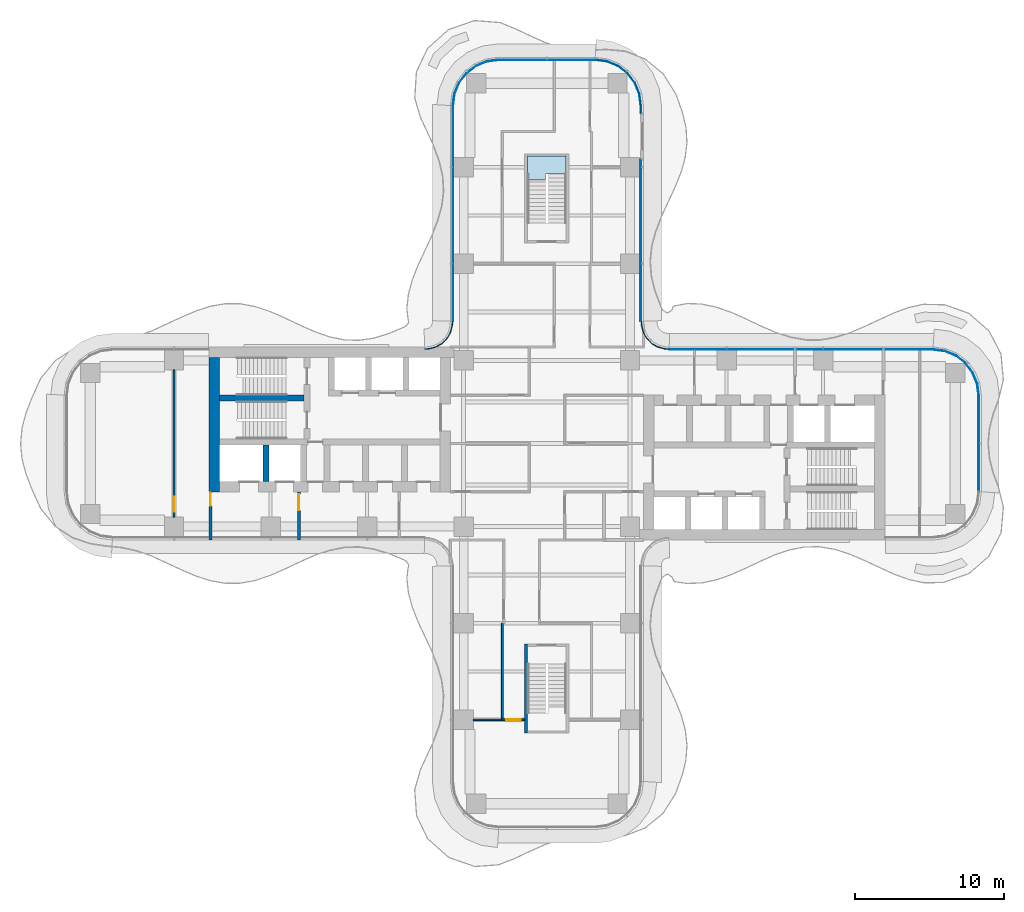
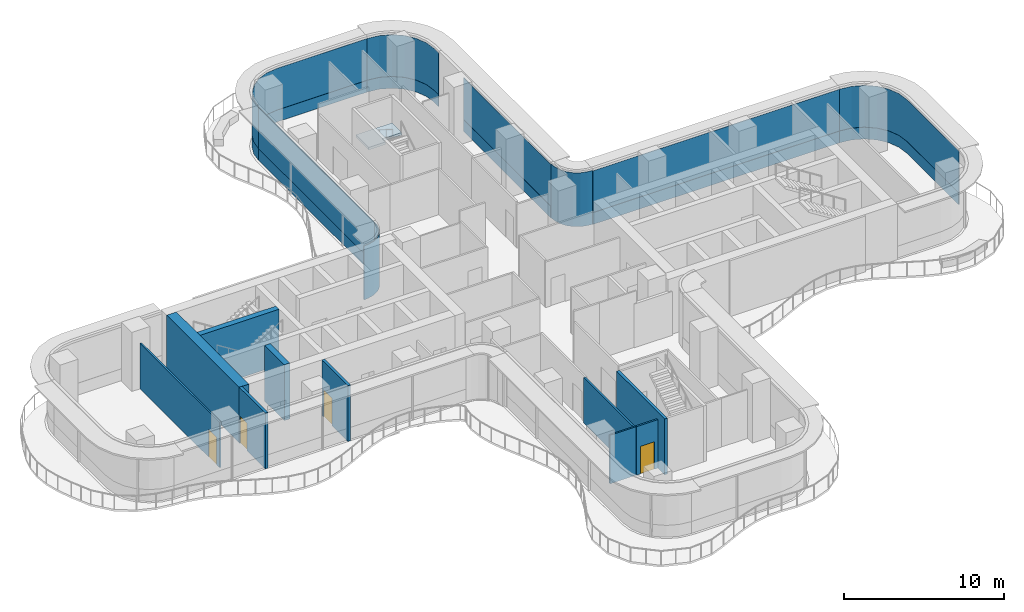
# One storey, part 14 of 20: 14 plates, 10 walls, 4 doors, 1 slab, 4 openings, 9 elements without a shape of their own.
"""IFC4 building model written with IfcOpenShell, lengths in metres."""

from ifc_helpers import new_model, si_unit, direction, frame, frame_2d, origin, place, context, subcontext, project, spatial, polyline, rectangle, outline, extrude, source, transform, mapped, material, layer, layer_set, type_object, element, fill, aggregate, save


model = new_model("IFC4")

# Units and contexts
model_context = context("Model", 3, precision=1e-05, world=origin(), true_north=direction((0.0, 1.0)))
body_context = subcontext(model_context, "Body", "Model", "MODEL_VIEW")
ifc_project = project(units=[si_unit("LENGTHUNIT", "METRE"), si_unit("AREAUNIT", "SQUARE_METRE"), si_unit("VOLUMEUNIT", "CUBIC_METRE"), si_unit("PLANEANGLEUNIT", "RADIAN"), si_unit("MASSUNIT", "GRAM", prefix="KILO")], contexts=[model_context])

# Site, building, storey
site_placement = place(None, origin())
site = spatial("IfcSite", under=ifc_project, at=site_placement, CompositionType="ELEMENT")
building_placement = place(site_placement, origin())
building = spatial("IfcBuilding", under=site, at=building_placement, Name="Trellis Farm Tower", CompositionType="ELEMENT")
storey_placement = place(building_placement, frame((0.0, 0.0, 133.5)))
storey = spatial("IfcBuildingStorey", under=building, at=storey_placement, Name="L28", CompositionType="ELEMENT", Elevation=133.5)

# Stair, slab
ifc_material_1 = material(Name="Concrete C50/60", Category="concrete")
stair_type = type_object("IfcStairType", Name="CORE EXIT STAIR 26 RISERS 173 MM", PredefinedType="HALF_TURN_STAIR", material=ifc_material_1)
placement_1 = place(storey_placement, origin())
stair = element("IfcStair", 1, at=placement_1, inside=storey, type_object=stair_type, Name="Exit stair N", PredefinedType="HALF_TURN_STAIR")
ifc_layer_1 = layer(ifc_material_1, 0.18994140625)
ifc_layer_set_1 = layer_set([ifc_layer_1], Name="CORE STAIR LANDING 190 CONCRETE C50/60")
slab_type = type_object("IfcSlabType", Name="CORE STAIR LANDING 190 CONCRETE C50/60", PredefinedType="LANDING", material=ifc_layer_set_1)
shared_shape_1 = source(origin(), body_context, "Body", "SweptSolid", [
    extrude(outline(polyline([(-0.10009765625, 17.753173828125), (-1.300048828125, 17.753173828125), (-1.300048828125, 18.14990234375), (-1.300048828125, 19.35009765625), (1.300048828125, 19.35009765625), (1.300048828125, 18.14990234375), (1.300048828125, 18.139892578125), (0.10009765625, 18.139892578125), (0.10009765625, 18.14990234375), (-0.10009765625, 18.14990234375), (-0.10009765625, 17.753173828125)])), origin(), (0.0, 0.0, 1.0), 0.18994140625),
])
slab_placement = place(storey_placement, frame((0.0, 0.0, 2.06005859375)))
slab = element("IfcSlab", 2, at=slab_placement, type_object=slab_type, Name="STN landing 1", PredefinedType="LANDING", context=body_context, shape_type="MappedRepresentation", body=[
    mapped(shared_shape_1, transform((0.0, 0.0, 0.0))),
])
aggregate(stair, [slab])

# Curtain wall, plate
ifc_material_2 = material(Name="Aluminium and glass curtain wall", Category="aluminium")
ifc_layer_2 = layer(ifc_material_2, 0.166015625)
ifc_layer_set_2 = layer_set([ifc_layer_2], Name="WINTER GARDEN CURTAIN WALL CW3")
curtain_wall_type_1 = type_object("IfcCurtainWallType", Name="WINTER GARDEN CURTAIN WALL CW3", PredefinedType="NOTDEFINED", material=ifc_layer_set_2)
curtain_wall_1 = element("IfcCurtainWall", 3, at=placement_1, inside=storey, type_object=curtain_wall_type_1, Name="CW3 003", PredefinedType="NOTDEFINED")
ifc_material_3 = material(Name="Clear insulated glass", Category="glass")
ifc_layer_3 = layer(ifc_material_3, 0.0458984375)
ifc_layer_set_3 = layer_set([ifc_layer_3], Name="CW3 GLASS PANEL 46")
plate_type_1 = type_object("IfcPlateType", Name="CW3 GLASS PANEL 46", PredefinedType="CURTAIN_PANEL", material=ifc_layer_set_3)
shared_shape_2 = source(origin(), body_context, "Body", "SweptSolid", [
    extrude(outline(polyline([(8.2275390625, 6.3798828125), (8.0078125, 6.394287109375), (7.89208984375, 6.40966796875), (7.462158203125, 6.52490234375), (7.070556640625, 6.7509765625), (6.7509765625, 7.070556640625), (6.52490234375, 7.462158203125), (6.40966796875, 7.89208984375), (6.394287109375, 8.0078125), (6.3798828125, 8.2275390625), (6.333984375, 8.22607421875), (6.3486328125, 8.003173828125), (6.364501953125, 7.883056640625), (6.48193359375, 7.4443359375), (6.714111328125, 7.04248046875), (7.04248046875, 6.714111328125), (7.4443359375, 6.48193359375), (7.883056640625, 6.364501953125), (8.003173828125, 6.3486328125), (8.22607421875, 6.333984375), (8.2275390625, 6.3798828125)])), origin(), (0.0, 0.0, 1.0), 4.10009765625),
])
plate_1 = element("IfcPlate", 4, at=placement_1, type_object=plate_type_1, Name="PL3 003", PredefinedType="CURTAIN_PANEL", context=body_context, shape_type="MappedRepresentation", body=[
    mapped(shared_shape_2, transform((0.0, 0.0, 0.0))),
])
aggregate(curtain_wall_1, [plate_1])

curtain_wall_2 = element("IfcCurtainWall", 5, at=placement_1, inside=storey, type_object=curtain_wall_type_1, Name="CW3 004", PredefinedType="NOTDEFINED")
shared_shape_3 = source(origin(), body_context, "Body", "SweptSolid", [
    extrude(outline(polyline([(-6.3798828125, 8.2275390625), (-6.394287109375, 8.0078125), (-6.40966796875, 7.89208984375), (-6.52490234375, 7.462158203125), (-6.7509765625, 7.070556640625), (-7.070556640625, 6.7509765625), (-7.462158203125, 6.52490234375), (-7.89208984375, 6.40966796875), (-8.0078125, 6.394287109375), (-8.2275390625, 6.3798828125), (-8.22607421875, 6.333984375), (-8.003173828125, 6.3486328125), (-7.883056640625, 6.364501953125), (-7.4443359375, 6.48193359375), (-7.04248046875, 6.714111328125), (-6.714111328125, 7.04248046875), (-6.48193359375, 7.4443359375), (-6.364501953125, 7.883056640625), (-6.3486328125, 8.003173828125), (-6.333984375, 8.22607421875), (-6.3798828125, 8.2275390625)])), origin(), (0.0, 0.0, 1.0), 4.10009765625),
])
plate_2 = element("IfcPlate", 6, at=placement_1, type_object=plate_type_1, Name="PL3 004", PredefinedType="CURTAIN_PANEL", context=body_context, shape_type="MappedRepresentation", body=[
    mapped(shared_shape_3, transform((0.0, 0.0, 0.0))),
])
aggregate(curtain_wall_2, [plate_2])

# Curtain wall, plates
ifc_layer_4 = layer(ifc_material_2, 0.18994140625)
ifc_layer_set_4 = layer_set([ifc_layer_4], Name="RIBBON CURTAIN WALL CW1")
curtain_wall_type_2 = type_object("IfcCurtainWallType", Name="RIBBON CURTAIN WALL CW1", PredefinedType="NOTDEFINED", material=ifc_layer_set_4)
curtain_wall_3 = element("IfcCurtainWall", 7, at=placement_1, inside=storey, type_object=curtain_wall_type_2, Name="CW1 011", PredefinedType="NOTDEFINED")
ifc_layer_5 = layer(ifc_material_3, 0.0400390625)
ifc_layer_set_5 = layer_set([ifc_layer_5], Name="CW1 GLASS PANEL 40")
plate_type_2 = type_object("IfcPlateType", Name="CW1 GLASS PANEL 40", PredefinedType="CURTAIN_PANEL", material=ifc_layer_set_5)
shared_shape_4 = source(origin(), body_context, "Body", "SweptSolid", [
    extrude(outline(polyline([(-6.35009765625, 22.740234375), (-6.35009765625, 8.2265625), (-6.31005859375, 8.22509765625), (-6.31005859375, 22.737548828125), (-6.35009765625, 22.740234375)])), origin(), (0.0, 0.0, 1.0), 3.170166015625),
])
placement_2 = place(storey_placement, frame((0.0, 0.0, 0.89990234375)))
plate_3 = element("IfcPlate", 8, at=placement_2, type_object=plate_type_2, Name="PL1 011", PredefinedType="CURTAIN_PANEL", context=body_context, shape_type="MappedRepresentation", body=[
    mapped(shared_shape_4, transform((0.0, 0.0, 0.0))),
])
ifc_material_4 = material(Name="Sandstone faced insulated panel", Category="masonry")
ifc_layer_6 = layer(ifc_material_4, 0.050048828125)
ifc_layer_set_6 = layer_set([ifc_layer_6], Name="CW1 STONE SPANDREL PANEL 50")
plate_type_3 = type_object("IfcPlateType", Name="CW1 STONE SPANDREL PANEL 50", PredefinedType="CURTAIN_PANEL", material=ifc_layer_set_6)
shared_shape_5 = source(origin(), body_context, "Body", "SweptSolid", [
    extrude(outline(polyline([(-6.35009765625, 22.740234375), (-6.35009765625, 8.2265625), (-6.300048828125, 8.224853515625), (-6.300048828125, 22.73681640625), (-6.35009765625, 22.740234375)])), origin(), (0.0, 0.0, 1.0), 0.89990234375),
])
plate_4 = element("IfcPlate", 9, at=placement_1, type_object=plate_type_3, Name="PS1 011", PredefinedType="CURTAIN_PANEL", context=body_context, shape_type="MappedRepresentation", body=[
    mapped(shared_shape_5, transform((0.0, 0.0, 0.0))),
])
aggregate(curtain_wall_3, [plate_3, plate_4])

curtain_wall_4 = element("IfcCurtainWall", 10, at=placement_1, inside=storey, type_object=curtain_wall_type_2, Name="CW1 010", PredefinedType="NOTDEFINED")
shared_shape_6 = source(origin(), body_context, "Body", "SweptSolid", [
    extrude(outline(polyline([(3.240234375, 25.85009765625), (-3.240234375, 25.85009765625), (-4.052001953125, 25.7431640625), (-4.79931640625, 25.43359375), (-5.441162109375, 24.941162109375), (-5.93359375, 24.29931640625), (-6.2431640625, 23.552001953125), (-6.35009765625, 22.740234375), (-6.31005859375, 22.737548828125), (-6.2041015625, 23.54150390625), (-5.898681640625, 24.279296875), (-5.41259765625, 24.91259765625), (-4.779296875, 25.398681640625), (-4.04150390625, 25.7041015625), (-3.237548828125, 25.81005859375), (3.237548828125, 25.81005859375), (3.240234375, 25.85009765625)])), origin(), (0.0, 0.0, 1.0), 3.170166015625),
])
plate_5 = element("IfcPlate", 11, at=placement_2, type_object=plate_type_2, Name="PL1 010", PredefinedType="CURTAIN_PANEL", context=body_context, shape_type="MappedRepresentation", body=[
    mapped(shared_shape_6, transform((0.0, 0.0, 0.0))),
])
shared_shape_7 = source(origin(), body_context, "Body", "SweptSolid", [
    extrude(outline(polyline([(3.240234375, 25.85009765625), (-3.240234375, 25.85009765625), (-4.052001953125, 25.7431640625), (-4.79931640625, 25.43359375), (-5.441162109375, 24.941162109375), (-5.93359375, 24.29931640625), (-6.2431640625, 23.552001953125), (-6.35009765625, 22.740234375), (-6.300048828125, 22.73681640625), (-6.1943359375, 23.5390625), (-5.889892578125, 24.274169921875), (-5.405517578125, 24.905517578125), (-4.774169921875, 25.389892578125), (-4.0390625, 25.6943359375), (-3.23681640625, 25.800048828125), (3.23681640625, 25.800048828125), (3.240234375, 25.85009765625)])), origin(), (0.0, 0.0, 1.0), 0.89990234375),
])
plate_6 = element("IfcPlate", 12, at=placement_1, type_object=plate_type_3, Name="PS1 010", PredefinedType="CURTAIN_PANEL", context=body_context, shape_type="MappedRepresentation", body=[
    mapped(shared_shape_7, transform((0.0, 0.0, 0.0))),
])
aggregate(curtain_wall_4, [plate_5, plate_6])

curtain_wall_5 = element("IfcCurtainWall", 13, at=placement_1, inside=storey, type_object=curtain_wall_type_2, Name="CW1 007", PredefinedType="NOTDEFINED")
shared_shape_8 = source(origin(), body_context, "Body", "SweptSolid", [
    extrude(outline(polyline([(25.990234375, 6.35009765625), (8.2265625, 6.35009765625), (8.22509765625, 6.31005859375), (25.987548828125, 6.31005859375), (25.990234375, 6.35009765625)])), origin(), (0.0, 0.0, 1.0), 3.170166015625),
])
plate_7 = element("IfcPlate", 14, at=placement_2, type_object=plate_type_2, Name="PL1 007", PredefinedType="CURTAIN_PANEL", context=body_context, shape_type="MappedRepresentation", body=[
    mapped(shared_shape_8, transform((0.0, 0.0, 0.0))),
])
shared_shape_9 = source(origin(), body_context, "Body", "SweptSolid", [
    extrude(outline(polyline([(25.990234375, 6.35009765625), (8.2265625, 6.35009765625), (8.224853515625, 6.300048828125), (25.98681640625, 6.300048828125), (25.990234375, 6.35009765625)])), origin(), (0.0, 0.0, 1.0), 0.89990234375),
])
plate_8 = element("IfcPlate", 15, at=placement_1, type_object=plate_type_3, Name="PS1 007", PredefinedType="CURTAIN_PANEL", context=body_context, shape_type="MappedRepresentation", body=[
    mapped(shared_shape_9, transform((0.0, 0.0, 0.0))),
])
aggregate(curtain_wall_5, [plate_7, plate_8])

curtain_wall_6 = element("IfcCurtainWall", 16, at=placement_1, inside=storey, type_object=curtain_wall_type_2, Name="CW1 006", PredefinedType="NOTDEFINED")
shared_shape_10 = source(origin(), body_context, "Body", "SweptSolid", [
    extrude(outline(polyline([(29.10009765625, -3.240234375), (29.10009765625, 3.240234375), (28.9931640625, 4.052001953125), (28.68359375, 4.79931640625), (28.191162109375, 5.441162109375), (27.54931640625, 5.93359375), (26.802001953125, 6.2431640625), (25.990234375, 6.35009765625), (25.987548828125, 6.31005859375), (26.79150390625, 6.2041015625), (27.529296875, 5.898681640625), (28.16259765625, 5.41259765625), (28.648681640625, 4.779296875), (28.9541015625, 4.04150390625), (29.06005859375, 3.237548828125), (29.06005859375, -3.237548828125), (29.10009765625, -3.240234375)])), origin(), (0.0, 0.0, 1.0), 3.170166015625),
])
plate_9 = element("IfcPlate", 17, at=placement_2, type_object=plate_type_2, Name="PL1 006", PredefinedType="CURTAIN_PANEL", context=body_context, shape_type="MappedRepresentation", body=[
    mapped(shared_shape_10, transform((0.0, 0.0, 0.0))),
])
shared_shape_11 = source(origin(), body_context, "Body", "SweptSolid", [
    extrude(outline(polyline([(29.10009765625, -3.240234375), (29.10009765625, 3.240234375), (28.9931640625, 4.052001953125), (28.68359375, 4.79931640625), (28.191162109375, 5.441162109375), (27.54931640625, 5.93359375), (26.802001953125, 6.2431640625), (25.990234375, 6.35009765625), (25.98681640625, 6.300048828125), (26.7890625, 6.1943359375), (27.524169921875, 5.889892578125), (28.155517578125, 5.405517578125), (28.639892578125, 4.774169921875), (28.9443359375, 4.0390625), (29.050048828125, 3.23681640625), (29.050048828125, -3.23681640625), (29.10009765625, -3.240234375)])), origin(), (0.0, 0.0, 1.0), 0.89990234375),
])
plate_10 = element("IfcPlate", 18, at=placement_1, type_object=plate_type_3, Name="PS1 006", PredefinedType="CURTAIN_PANEL", context=body_context, shape_type="MappedRepresentation", body=[
    mapped(shared_shape_11, transform((0.0, 0.0, 0.0))),
])
aggregate(curtain_wall_6, [plate_9, plate_10])

curtain_wall_7 = element("IfcCurtainWall", 19, at=placement_1, inside=storey, type_object=curtain_wall_type_2, Name="CW1 008", PredefinedType="NOTDEFINED")
shared_shape_12 = source(origin(), body_context, "Body", "SweptSolid", [
    extrude(outline(polyline([(6.35009765625, 8.2265625), (6.35009765625, 19.114990234375), (6.31005859375, 19.114990234375), (6.31005859375, 8.22509765625), (6.35009765625, 8.2265625)])), origin(), (0.0, 0.0, 1.0), 3.170166015625),
])
plate_11 = element("IfcPlate", 20, at=placement_2, type_object=plate_type_2, Name="PL1 008", PredefinedType="CURTAIN_PANEL", context=body_context, shape_type="MappedRepresentation", body=[
    mapped(shared_shape_12, transform((0.0, 0.0, 0.0))),
])
shared_shape_13 = source(origin(), body_context, "Body", "SweptSolid", [
    extrude(outline(polyline([(6.35009765625, 8.2265625), (6.35009765625, 19.114990234375), (6.300048828125, 19.114990234375), (6.300048828125, 8.224853515625), (6.35009765625, 8.2265625)])), origin(), (0.0, 0.0, 1.0), 0.89990234375),
])
plate_12 = element("IfcPlate", 21, at=placement_1, type_object=plate_type_3, Name="PS1 008", PredefinedType="CURTAIN_PANEL", context=body_context, shape_type="MappedRepresentation", body=[
    mapped(shared_shape_13, transform((0.0, 0.0, 0.0))),
])
aggregate(curtain_wall_7, [plate_11, plate_12])

curtain_wall_8 = element("IfcCurtainWall", 22, at=placement_1, inside=storey, type_object=curtain_wall_type_2, Name="CW1 009", PredefinedType="NOTDEFINED")
shared_shape_14 = source(origin(), body_context, "Body", "SweptSolid", [
    extrude(outline(polyline([(6.35009765625, 22.235107421875), (6.35009765625, 22.740234375), (6.2431640625, 23.552001953125), (5.93359375, 24.29931640625), (5.441162109375, 24.941162109375), (4.79931640625, 25.43359375), (4.052001953125, 25.7431640625), (3.240234375, 25.85009765625), (3.237548828125, 25.81005859375), (4.04150390625, 25.7041015625), (4.779296875, 25.398681640625), (5.41259765625, 24.91259765625), (5.898681640625, 24.279296875), (6.2041015625, 23.54150390625), (6.31005859375, 22.737548828125), (6.31005859375, 22.235107421875), (6.35009765625, 22.235107421875)])), origin(), (0.0, 0.0, 1.0), 3.170166015625),
])
plate_13 = element("IfcPlate", 23, at=placement_2, type_object=plate_type_2, Name="PL1 009", PredefinedType="CURTAIN_PANEL", context=body_context, shape_type="MappedRepresentation", body=[
    mapped(shared_shape_14, transform((0.0, 0.0, 0.0))),
])
shared_shape_15 = source(origin(), body_context, "Body", "SweptSolid", [
    extrude(outline(polyline([(6.35009765625, 22.235107421875), (6.35009765625, 22.740234375), (6.2431640625, 23.552001953125), (5.93359375, 24.29931640625), (5.441162109375, 24.941162109375), (4.79931640625, 25.43359375), (4.052001953125, 25.7431640625), (3.240234375, 25.85009765625), (3.23681640625, 25.800048828125), (4.0390625, 25.6943359375), (4.774169921875, 25.389892578125), (5.405517578125, 24.905517578125), (5.889892578125, 24.274169921875), (6.1943359375, 23.5390625), (6.300048828125, 22.73681640625), (6.300048828125, 22.235107421875), (6.35009765625, 22.235107421875)])), origin(), (0.0, 0.0, 1.0), 0.89990234375),
])
plate_14 = element("IfcPlate", 24, at=placement_1, type_object=plate_type_3, Name="PS1 009", PredefinedType="CURTAIN_PANEL", context=body_context, shape_type="MappedRepresentation", body=[
    mapped(shared_shape_15, transform((0.0, 0.0, 0.0))),
])
aggregate(curtain_wall_8, [plate_13, plate_14])

# Walls
ifc_material_5 = material(Name="Concrete C70/85", Category="concrete")
ifc_layer_7 = layer(ifc_material_5, 0.699951171875)
ifc_layer_set_7 = layer_set([ifc_layer_7], Name="CORE OUTER WALL 700 CONCRETE C70/85")
wall_type_1 = type_object("IfcWallType", Name="CORE OUTER WALL 700 CONCRETE C70/85", PredefinedType="SHEAR", material=ifc_layer_set_7)
shared_shape_16 = source(origin(), body_context, "Body", "SweptSolid", [
    extrude(rectangle(XDim=9.050048828125, YDim=0.699951171875, at=frame_2d((4.52490234375, 0.0))), origin(), (0.0, 0.0, 1.0), 4.25),
])
wall_1_placement = place(storey_placement, frame((-22.39990234375, 5.800048828125, 0.0), z_axis=(0.0, 0.0, 1.0), x_axis=(0.0, -1.0, 0.0)))
element("IfcWall", 25, at=wall_1_placement, inside=storey, type_object=wall_type_1, Name="Core wall", PredefinedType="SHEAR", context=body_context, shape_type="MappedRepresentation", body=[
    mapped(shared_shape_16, transform((0.0, 0.0, 0.0))),
])
ifc_layer_8 = layer(ifc_material_5, 0.39990234375)
ifc_layer_set_8 = layer_set([ifc_layer_8], Name="CORE INNER WALL 400 CONCRETE C70/85")
wall_type_2 = type_object("IfcWallType", Name="CORE INNER WALL 400 CONCRETE C70/85", PredefinedType="SHEAR", material=ifc_layer_set_8)
shared_shape_17 = source(origin(), body_context, "Body", "SweptSolid", [
    extrude(rectangle(XDim=2.449951171875, YDim=0.39990234375, at=frame_2d((1.22509765625, 0.0))), origin(), (0.0, 0.0, 1.0), 4.25),
])
wall_2_placement = place(storey_placement, frame((-18.89990234375, -0.10009765625, 0.0), z_axis=(0.0, 0.0, 1.0), x_axis=(0.0, -1.0, 0.0)))
element("IfcWall", 26, at=wall_2_placement, inside=storey, type_object=wall_type_2, Name="Core wall", PredefinedType="SHEAR", context=body_context, shape_type="MappedRepresentation", body=[
    mapped(shared_shape_17, transform((0.0, 0.0, 0.0))),
])

# Wall, opening, door
ifc_material_6 = material(Name="Masonry blockwork", Category="masonry")
ifc_layer_9 = layer(ifc_material_6, 0.199951171875)
ifc_layer_set_9 = layer_set([ifc_layer_9], Name="FIRE LOBBY PARTITION 200 BLOCKWORK")
wall_type_3 = type_object("IfcWallType", Name="FIRE LOBBY PARTITION 200 BLOCKWORK", PredefinedType="PARTITIONING", material=ifc_layer_set_9)
shared_shape_18 = source(origin(), body_context, "Body", "SweptSolid", [
    extrude(rectangle(XDim=3.25, YDim=0.199951171875, at=frame_2d((1.625, 0.0))), origin(), (0.0, 0.0, 1.0), 4.25),
])
wall_3_placement = place(storey_placement, frame((-16.699951171875, -3.25, 0.0), z_axis=(0.0, 0.0, 1.0), x_axis=(0.0, -1.0, 0.0)))
wall_3 = element("IfcWall", 27, at=wall_3_placement, inside=storey, type_object=wall_type_3, Name="Fire-fighting lobby partition", PredefinedType="PARTITIONING", context=body_context, shape_type="MappedRepresentation", body=[
    mapped(shared_shape_18, transform((0.0, 0.0, 0.0))),
])
shared_shape_19 = source(origin(), body_context, "Body", "SweptSolid", [
    extrude(rectangle(XDim=1.10009765625, YDim=2.10009765625, at=frame_2d((0.550048828125, 1.050048828125))), frame((0.0, 0.110107421875, 0.0), z_axis=(0.0, -1.0, 0.0), x_axis=(1.0, 0.0, 0.0)), (0.0, 0.0, 1.0), 0.22021484375),
])
opening_1_placement = place(wall_3_placement, frame((0.14990234375, 0.0, 0.0)))
opening_1 = element("IfcOpeningElement", 28, at=opening_1_placement, cuts=wall_3, Name="Opening DC93", PredefinedType="OPENING", context=body_context, shape_type="MappedRepresentation", body=[
    mapped(shared_shape_19, transform((0.0, 0.0, 0.0))),
])
ifc_material_7 = material(Name="Steel", Category="steel")
door_type_1 = type_object("IfcDoorType", Name="CORE FIRE DOOR 1100 X 2100", OperationType="NOTDEFINED", PredefinedType="DOOR", material=ifc_material_7)
shared_shape_20 = source(origin(), body_context, "Body", "SweptSolid", [
    extrude(rectangle(XDim=1.10009765625, YDim=2.10009765625, at=frame_2d((0.550048828125, 1.050048828125))), frame((0.0, 0.02490234375, 0.0), z_axis=(0.0, -1.0, 0.0), x_axis=(1.0, 0.0, 0.0)), (0.0, 0.0, 1.0), 0.050048828125),
])
door_1_placement = place(opening_1_placement, origin())
door_1 = element("IfcDoor", 29, at=door_1_placement, inside=storey, type_object=door_type_1, Name="Core door", OperationType="SINGLE_SWING_RIGHT", OverallHeight=2.10009765625, OverallWidth=1.10009765625, PredefinedType="DOOR", context=body_context, shape_type="MappedRepresentation", body=[
    mapped(shared_shape_20, transform((0.0, 0.0, 0.0))),
])
fill(opening_1, door_1)

wall_4_placement = place(storey_placement, frame((-22.64990234375, -3.25, 0.0), z_axis=(0.0, 0.0, 1.0), x_axis=(0.0, -1.0, 0.0)))
wall_4 = element("IfcWall", 30, at=wall_4_placement, inside=storey, type_object=wall_type_3, Name="Fire-fighting lobby partition", PredefinedType="PARTITIONING", context=body_context, shape_type="MappedRepresentation", body=[
    mapped(shared_shape_18, transform((0.0, 0.0, 0.0))),
])
shared_shape_21 = source(origin(), body_context, "Body", "SweptSolid", [
    extrude(rectangle(XDim=0.89990234375, YDim=2.10009765625, at=frame_2d((0.449951171875, 1.050048828125))), frame((0.0, 0.110107421875, 0.0), z_axis=(0.0, -1.0, 0.0), x_axis=(1.0, 0.0, 0.0)), (0.0, 0.0, 1.0), 0.22021484375),
])
opening_2_placement = place(wall_4_placement, frame((0.050048828125, 0.0, 0.0)))
opening_2 = element("IfcOpeningElement", 31, at=opening_2_placement, cuts=wall_4, Name="Opening DC94", PredefinedType="OPENING", context=body_context, shape_type="MappedRepresentation", body=[
    mapped(shared_shape_21, transform((0.0, 0.0, 0.0))),
])
door_type_2 = type_object("IfcDoorType", Name="CORE FIRE DOOR 900 X 2100", OperationType="NOTDEFINED", PredefinedType="DOOR", material=ifc_material_7)
shared_shape_22 = source(origin(), body_context, "Body", "SweptSolid", [
    extrude(rectangle(XDim=0.89990234375, YDim=2.10009765625, at=frame_2d((0.449951171875, 1.050048828125))), frame((0.0, 0.02490234375, 0.0), z_axis=(0.0, -1.0, 0.0), x_axis=(1.0, 0.0, 0.0)), (0.0, 0.0, 1.0), 0.050048828125),
])
door_2_placement = place(opening_2_placement, origin())
door_2 = element("IfcDoor", 32, at=door_2_placement, inside=storey, type_object=door_type_2, Name="Core door", OperationType="SINGLE_SWING_RIGHT", OverallHeight=2.10009765625, OverallWidth=0.89990234375, PredefinedType="DOOR", context=body_context, shape_type="MappedRepresentation", body=[
    mapped(shared_shape_22, transform((0.0, 0.0, 0.0))),
])
fill(opening_2, door_2)

# Walls
shared_shape_23 = source(origin(), body_context, "Body", "SweptSolid", [
    extrude(rectangle(XDim=5.699951171875, YDim=0.39990234375, at=frame_2d((2.85009765625, 0.0))), origin(), (0.0, 0.0, 1.0), 4.25),
])
wall_5_placement = place(storey_placement, frame((-16.35009765625, 3.050048828125, 0.0), z_axis=(0.0, 0.0, 1.0), x_axis=(-1.0, 0.0, 0.0)))
element("IfcWall", 33, at=wall_5_placement, inside=storey, type_object=wall_type_2, Name="Core wall", PredefinedType="SHEAR", context=body_context, shape_type="MappedRepresentation", body=[
    mapped(shared_shape_23, transform((0.0, 0.0, 0.0))),
])
ifc_layer_10 = layer(ifc_material_5, 0.199951171875)
ifc_layer_set_10 = layer_set([ifc_layer_10], Name="CORE STAIR ENCLOSURE WALL 200 CONCRETE C70/85")
wall_type_4 = type_object("IfcWallType", Name="CORE STAIR ENCLOSURE WALL 200 CONCRETE C70/85", PredefinedType="SHEAR", material=ifc_layer_set_10)
shared_shape_24 = source(origin(), body_context, "Body", "SweptSolid", [
    extrude(rectangle(XDim=6.0, YDim=0.199951171875, at=frame_2d((3.0, 0.0))), origin(), (0.0, 0.0, 1.0), 4.25),
])
wall_6_placement = place(storey_placement, frame((-1.39990234375, -13.5, 0.0), z_axis=(0.0, 0.0, 1.0), x_axis=(0.0, -1.0, 0.0)))
element("IfcWall", 34, at=wall_6_placement, inside=storey, type_object=wall_type_4, Name="Stair enclosure wall", PredefinedType="SHEAR", context=body_context, shape_type="MappedRepresentation", body=[
    mapped(shared_shape_24, transform((0.0, 0.0, 0.0))),
])

# Wall, opening, door
ifc_material_8 = material(Name="Plasterboard on steel studs, mineral wool", Category="steel")
ifc_layer_11 = layer(ifc_material_8, 0.125)
ifc_layer_set_11 = layer_set([ifc_layer_11], Name="PARTITION 125 STUD EI 60")
wall_type_5 = type_object("IfcWallType", Name="PARTITION 125 STUD EI 60", PredefinedType="PARTITIONING", material=ifc_layer_set_11)
shared_shape_25 = source(origin(), body_context, "Body", "SweptSolid", [
    extrude(rectangle(XDim=1.5625, YDim=0.125, at=frame_2d((0.78125, 0.0))), origin(), (0.0, 0.0, 1.0), 3.697021484375),
])
wall_7_placement = place(storey_placement, frame((-1.5, -18.60009765625, 0.0), z_axis=(0.0, 0.0, 1.0), x_axis=(-1.0, 0.0, 0.0)))
wall_7 = element("IfcWall", 35, at=wall_7_placement, inside=storey, type_object=wall_type_5, Name="Partition PW1", PredefinedType="PARTITIONING", context=body_context, shape_type="MappedRepresentation", body=[
    mapped(shared_shape_25, transform((0.0, 0.0, 0.0))),
])
shared_shape_26 = source(origin(), body_context, "Body", "SweptSolid", [
    extrude(rectangle(XDim=1.0, YDim=2.10009765625, at=frame_2d((0.5, 1.050048828125))), frame((0.0, 0.072509765625, 0.0), z_axis=(0.0, -1.0, 0.0), x_axis=(1.0, 0.0, 0.0)), (0.0, 0.0, 1.0), 0.14501953125),
])
opening_3_placement = place(wall_7_placement, frame((0.25, 0.0, 0.0)))
opening_3 = element("IfcOpeningElement", 36, at=opening_3_placement, cuts=wall_7, Name="Opening D101", PredefinedType="OPENING", context=body_context, shape_type="MappedRepresentation", body=[
    mapped(shared_shape_26, transform((0.0, 0.0, 0.0))),
])
ifc_material_9 = material(Name="Fire-rated timber door leaf in a hollow metal frame", Category="wood")
door_type_3 = type_object("IfcDoorType", Name="DOOR 1000x2100 FD30S", OperationType="NOTDEFINED", PredefinedType="DOOR", material=ifc_material_9)
shared_shape_27 = source(origin(), body_context, "Body", "SweptSolid", [
    extrude(rectangle(XDim=1.0, YDim=2.10009765625, at=frame_2d((0.5, 1.050048828125))), frame((0.0, 0.02490234375, 0.0), z_axis=(0.0, -1.0, 0.0), x_axis=(1.0, 0.0, 0.0)), (0.0, 0.0, 1.0), 0.050048828125),
])
door_3_placement = place(opening_3_placement, origin())
door_3 = element("IfcDoor", 37, at=door_3_placement, inside=storey, type_object=door_type_3, Name="Door D101", OperationType="SINGLE_SWING_LEFT", OverallHeight=2.10009765625, OverallWidth=1.0, PredefinedType="DOOR", context=body_context, shape_type="MappedRepresentation", body=[
    mapped(shared_shape_27, transform((0.0, 0.0, 0.0))),
])
fill(opening_3, door_3)

# Wall
ifc_material_10 = material(Name="Plasterboard on steel studs", Category="steel")
ifc_layer_12 = layer(ifc_material_10, 0.10009765625)
ifc_layer_set_12 = layer_set([ifc_layer_12], Name="PARTITION 100 STUD EI 30")
wall_type_6 = type_object("IfcWallType", Name="PARTITION 100 STUD EI 30", PredefinedType="PARTITIONING", material=ifc_layer_set_12)
shared_shape_28 = source(origin(), body_context, "Body", "SweptSolid", [
    extrude(rectangle(XDim=2.012451171875, YDim=0.10009765625, at=frame_2d((1.00634765625, 0.0))), origin(), (0.0, 0.0, 1.0), 3.697021484375),
])
wall_8_placement = place(storey_placement, frame((-4.949951171875, -18.60009765625, 0.0), z_axis=(0.0, 0.0, 1.0), x_axis=(1.0, 0.0, 0.0)))
element("IfcWall", 38, at=wall_8_placement, inside=storey, type_object=wall_type_6, Name="Partition PW2", PredefinedType="PARTITIONING", context=body_context, shape_type="MappedRepresentation", body=[
    mapped(shared_shape_28, transform((0.0, 0.0, 0.0))),
])

# Wall, opening, door
shared_shape_29 = source(origin(), body_context, "Body", "SweptSolid", [
    extrude(rectangle(XDim=9.89990234375, YDim=0.125, at=frame_2d((4.949951171875, 0.0))), origin(), (0.0, 0.0, 1.0), 3.4677734375),
])
wall_9_placement = place(storey_placement, frame((-25.10009765625, -4.949951171875, 0.0), z_axis=(0.0, 0.0, 1.0), x_axis=(0.0, 1.0, 0.0)))
wall_9 = element("IfcWall", 39, at=wall_9_placement, inside=storey, type_object=wall_type_5, Name="Partition PW1", PredefinedType="PARTITIONING", context=body_context, shape_type="MappedRepresentation", body=[
    mapped(shared_shape_29, transform((0.0, 0.0, 0.0))),
])
opening_4_placement = place(wall_9_placement, frame((0.35009765625, 0.0, 0.0)))
opening_4 = element("IfcOpeningElement", 40, at=opening_4_placement, cuts=wall_9, Name="Opening D102", PredefinedType="OPENING", context=body_context, shape_type="MappedRepresentation", body=[
    mapped(shared_shape_26, transform((0.0, 0.0, 0.0))),
])
door_4_placement = place(opening_4_placement, origin())
door_4 = element("IfcDoor", 41, at=door_4_placement, inside=storey, type_object=door_type_3, Name="Door D102", OperationType="SINGLE_SWING_LEFT", OverallHeight=2.10009765625, OverallWidth=1.0, PredefinedType="DOOR", context=body_context, shape_type="MappedRepresentation", body=[
    mapped(shared_shape_27, transform((0.0, 0.0, 0.0))),
])
fill(opening_4, door_4)

# Wall
shared_shape_30 = source(origin(), body_context, "Body", "SweptSolid", [
    extrude(rectangle(XDim=6.449951171875, YDim=0.125, at=frame_2d((3.22509765625, 0.0))), origin(), (0.0, 0.0, 1.0), 3.4677734375),
])
wall_10_placement = place(storey_placement, frame((-3.0, -18.550048828125, 0.0), z_axis=(0.0, 0.0, 1.0), x_axis=(0.0, 1.0, 0.0)))
element("IfcWall", 42, at=wall_10_placement, inside=storey, type_object=wall_type_5, Name="Partition PW1", PredefinedType="PARTITIONING", context=body_context, shape_type="MappedRepresentation", body=[
    mapped(shared_shape_30, transform((0.0, 0.0, 0.0))),
])

save(model, "model.ifc")
